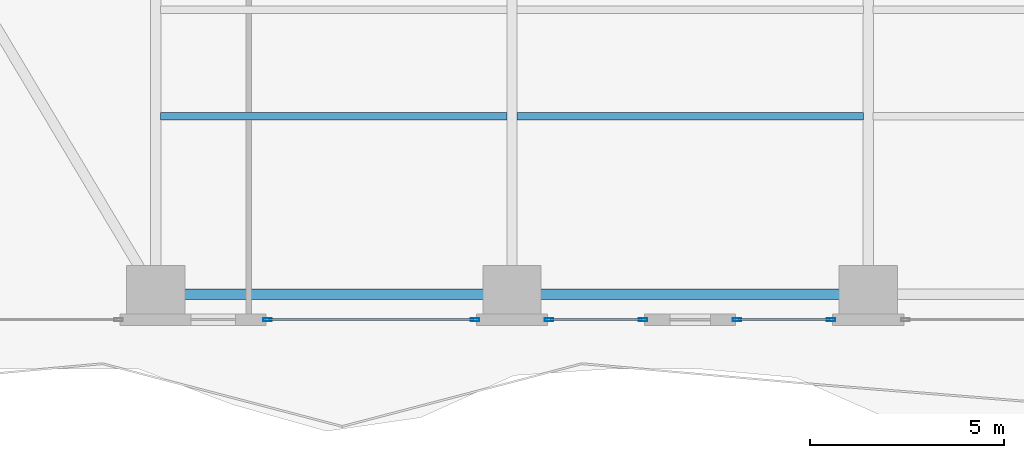
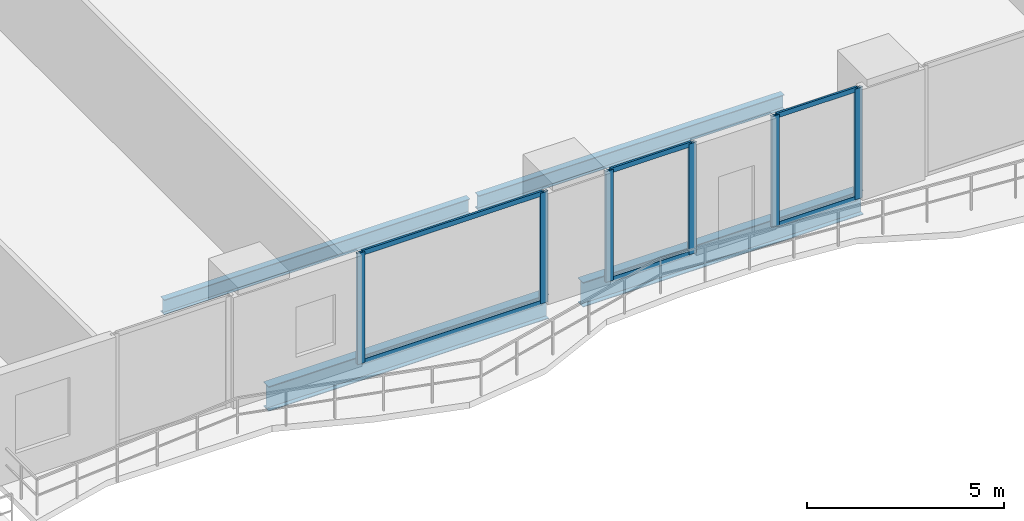
# One storey, part 4 of 28: 12 members, 4 beams, 3 elements without a shape of their own.
"""IFC4 building model written with IfcOpenShell, lengths in metres."""

from ifc_helpers import new_model, si_unit, direction, frame, origin, origin_2d, place, context, subcontext, project, spatial, hollow_rectangle, i_section, extrude, material, layer, layer_set, material_profile, profile_set, type_object, element, aggregate, save


model = new_model("IFC4")

# Units and contexts
model_context = context("Model", 3, precision=1e-05, world=origin(), true_north=direction((0.0, 1.0)))
body_context = subcontext(model_context, "Body", "Model", "MODEL_VIEW")
ifc_project = project(units=[si_unit("LENGTHUNIT", "METRE"), si_unit("AREAUNIT", "SQUARE_METRE"), si_unit("VOLUMEUNIT", "CUBIC_METRE"), si_unit("PLANEANGLEUNIT", "RADIAN"), si_unit("MASSUNIT", "GRAM", prefix="KILO")], contexts=[model_context])

# Site, building, storey
site_placement = place(None, origin())
site = spatial("IfcSite", under=ifc_project, at=site_placement, CompositionType="ELEMENT")
building_placement = place(site_placement, origin())
building = spatial("IfcBuilding", under=site, at=building_placement, Name="Zuhayl Quay Hotel", CompositionType="ELEMENT")
storey_placement = place(building_placement, frame((0.0, 0.0, 78.699951171875)))
storey = spatial("IfcBuildingStorey", under=building, at=storey_placement, Name="L19", CompositionType="ELEMENT", Elevation=78.699951171875)

# Beams
ifc_material_1 = material(Name="Steel ASTM A992 Grade 50", Category="steel")
ifc_material_profile_1 = material_profile(ifc_material_1, i_section(OverallWidth=0.26708984375, OverallDepth=0.761962890625, WebThickness=0.014404296875, FlangeThickness=0.021484375, at=origin_2d()), Name="W30X116")
ifc_profile_set_1 = profile_set([ifc_material_profile_1], Name="Steel ASTM A992 Grade 50")
beam_type_1 = type_object("IfcBeamType", Name="BM_B1_W30X116", PredefinedType="BEAM", material=ifc_profile_set_1)
beam_1_placement = place(storey_placement, frame((-13.300048828125, -22.449951171875, -0.600830078125), z_axis=(1.0, 0.0, 0.0), x_axis=(0.0, 1.0, 0.0)))
element("IfcBeam", 1, at=beam_1_placement, inside=storey, type_object=beam_type_1, Name="L19 Floor Beam RG_L19_01", PredefinedType="BEAM", context=body_context, shape_type="SweptSolid", body=[
    extrude(i_section(OverallWidth=0.26708984375, OverallDepth=0.761962890625, WebThickness=0.014404296875, FlangeThickness=0.021484375, at=origin_2d()), origin(), (0.0, 0.0, 1.0), 8.199951171875),
])
beam_2_placement = place(storey_placement, frame((-4.10009765625, -22.449951171875, -0.600830078125), z_axis=(1.0, 0.0, 0.0), x_axis=(0.0, 1.0, 0.0)))
element("IfcBeam", 2, at=beam_2_placement, inside=storey, type_object=beam_type_1, Name="L19 Floor Beam RG_L19_02", PredefinedType="BEAM", context=body_context, shape_type="SweptSolid", body=[
    extrude(i_section(OverallWidth=0.26708984375, OverallDepth=0.761962890625, WebThickness=0.014404296875, FlangeThickness=0.021484375, at=origin_2d()), origin(), (0.0, 0.0, 1.0), 8.2001953125),
])
ifc_material_profile_2 = material_profile(ifc_material_1, i_section(OverallWidth=0.18994140625, OverallDepth=0.45703125, WebThickness=0.009033203125, FlangeThickness=0.014404296875, at=origin_2d()), Name="W18X50")
ifc_profile_set_2 = profile_set([ifc_material_profile_2], Name="Steel ASTM A992 Grade 50")
beam_type_2 = type_object("IfcBeamType", Name="BM_J2_W18X50", PredefinedType="JOIST", material=ifc_profile_set_2)
beam_3_placement = place(storey_placement, frame((-13.674560546875, -17.85009765625, -0.448486328125), z_axis=(1.0, 0.0, 0.0), x_axis=(0.0, 1.0, 0.0)))
element("IfcBeam", 3, at=beam_3_placement, inside=storey, type_object=beam_type_2, Name="L19 Floor Beam FJ_L19_3_1", PredefinedType="JOIST", context=body_context, shape_type="SweptSolid", body=[
    extrude(i_section(OverallWidth=0.18994140625, OverallDepth=0.45703125, WebThickness=0.009033203125, FlangeThickness=0.014404296875, at=origin_2d()), origin(), (0.0, 0.0, 1.0), 8.948974609375),
])
beam_4_placement = place(storey_placement, frame((-4.474609375, -17.85009765625, -0.448486328125), z_axis=(1.0, 0.0, 0.0), x_axis=(0.0, 1.0, 0.0)))
element("IfcBeam", 4, at=beam_4_placement, inside=storey, type_object=beam_type_2, Name="L19 Floor Beam FJ_L19_3_2", PredefinedType="JOIST", context=body_context, shape_type="SweptSolid", body=[
    extrude(i_section(OverallWidth=0.18994140625, OverallDepth=0.45703125, WebThickness=0.009033203125, FlangeThickness=0.014404296875, at=origin_2d()), origin(), (0.0, 0.0, 1.0), 8.94921875),
])

# Curtain wall, members
ifc_material_2 = material(Name="Anodised Aluminium 6063-T6", Category="aluminium")
ifc_layer = layer(ifc_material_2, 0.18994140625, Name="Anodised Aluminium 6063-T6", Category="aluminium")
ifc_layer_set = layer_set([ifc_layer], Name="Anodised Aluminium 6063-T6")
curtain_wall_type = type_object("IfcCurtainWallType", Name="CW_SYS_Z1", PredefinedType="USERDEFINED", material=ifc_layer_set)
curtain_wall_1_placement = place(storey_placement, origin())
curtain_wall_1 = element("IfcCurtainWall", 5, at=curtain_wall_1_placement, inside=storey, type_object=curtain_wall_type, Name="L19 Curtain Wall ENV_L19_S_CW3", ObjectType="UNITISED CURTAIN WALL", PredefinedType="USERDEFINED")
ifc_material_3 = material(Name="Black-anodised aluminium 6063-T6", Category="aluminium")
ifc_material_profile_3 = material_profile(ifc_material_3, hollow_rectangle(XDim=0.074951171875, YDim=0.219970703125, WallThickness=0.00390625, at=origin_2d()), Name="ALU220X75")
ifc_profile_set_3 = profile_set([ifc_material_profile_3], Name="Black-anodised aluminium 6063-T6")
member_type_1 = type_object("IfcMemberType", Name="MB_CW_MUL_220", PredefinedType="MULLION", material=ifc_profile_set_3)
member_1_placement = place(storey_placement, frame((3.642578125, -23.10009765625, 0.0), z_axis=(0.0, 0.0, 1.0), x_axis=(0.0, -1.0, 0.0)))
member_1 = element("IfcMember", 6, at=member_1_placement, type_object=member_type_1, Name="CW-Z1 mullion 1", PredefinedType="MULLION", context=body_context, shape_type="SweptSolid", body=[
    extrude(hollow_rectangle(XDim=0.074951171875, YDim=0.219970703125, WallThickness=0.00390625, at=origin_2d()), origin(), (0.0, 0.0, 1.0), 3.429931640625),
])
member_2_placement = place(storey_placement, frame((1.21240234375, -23.10009765625, 0.0), z_axis=(0.0, 0.0, 1.0), x_axis=(0.0, -1.0, 0.0)))
member_2 = element("IfcMember", 7, at=member_2_placement, type_object=member_type_1, Name="CW-Z1 mullion 2", PredefinedType="MULLION", context=body_context, shape_type="SweptSolid", body=[
    extrude(hollow_rectangle(XDim=0.074951171875, YDim=0.219970703125, WallThickness=0.00390625, at=origin_2d()), origin(), (0.0, 0.0, 1.0), 3.429931640625),
])

curtain_wall_2_placement = place(storey_placement, origin())
curtain_wall_2 = element("IfcCurtainWall", 8, at=curtain_wall_2_placement, inside=storey, type_object=curtain_wall_type, Name="L19 Curtain Wall ENV_L19_S_CW4", ObjectType="UNITISED CURTAIN WALL", PredefinedType="USERDEFINED")
member_3_placement = place(storey_placement, frame((-1.21240234375, -23.10009765625, 0.0), z_axis=(0.0, 0.0, 1.0), x_axis=(0.0, -1.0, 0.0)))
member_3 = element("IfcMember", 9, at=member_3_placement, type_object=member_type_1, Name="CW-Z1 mullion 1", PredefinedType="MULLION", context=body_context, shape_type="SweptSolid", body=[
    extrude(hollow_rectangle(XDim=0.074951171875, YDim=0.219970703125, WallThickness=0.00390625, at=origin_2d()), origin(), (0.0, 0.0, 1.0), 3.429931640625),
])
member_4_placement = place(storey_placement, frame((-3.642578125, -23.10009765625, 0.0), z_axis=(0.0, 0.0, 1.0), x_axis=(0.0, -1.0, 0.0)))
member_4 = element("IfcMember", 10, at=member_4_placement, type_object=member_type_1, Name="CW-Z1 mullion 2", PredefinedType="MULLION", context=body_context, shape_type="SweptSolid", body=[
    extrude(hollow_rectangle(XDim=0.074951171875, YDim=0.219970703125, WallThickness=0.00390625, at=origin_2d()), origin(), (0.0, 0.0, 1.0), 3.429931640625),
])

curtain_wall_3_placement = place(storey_placement, origin())
curtain_wall_3 = element("IfcCurtainWall", 11, at=curtain_wall_3_placement, inside=storey, type_object=curtain_wall_type, Name="L19 Curtain Wall ENV_L19_S_CW5", ObjectType="UNITISED CURTAIN WALL", PredefinedType="USERDEFINED")
member_5_placement = place(storey_placement, frame((-5.5576171875, -23.10009765625, 0.0), z_axis=(0.0, 0.0, 1.0), x_axis=(0.0, -1.0, 0.0)))
member_5 = element("IfcMember", 12, at=member_5_placement, type_object=member_type_1, Name="CW-Z1 mullion 1", PredefinedType="MULLION", context=body_context, shape_type="SweptSolid", body=[
    extrude(hollow_rectangle(XDim=0.074951171875, YDim=0.219970703125, WallThickness=0.00390625, at=origin_2d()), origin(), (0.0, 0.0, 1.0), 3.429931640625),
])
member_6_placement = place(storey_placement, frame((-10.91259765625, -23.10009765625, 0.0), z_axis=(0.0, 0.0, 1.0), x_axis=(0.0, -1.0, 0.0)))
member_6 = element("IfcMember", 13, at=member_6_placement, type_object=member_type_1, Name="CW-Z1 mullion 2", PredefinedType="MULLION", context=body_context, shape_type="SweptSolid", body=[
    extrude(hollow_rectangle(XDim=0.074951171875, YDim=0.219970703125, WallThickness=0.00390625, at=origin_2d()), origin(), (0.0, 0.0, 1.0), 3.429931640625),
])

# Member
ifc_material_profile_4 = material_profile(ifc_material_3, hollow_rectangle(XDim=0.06005859375, YDim=0.14990234375, WallThickness=0.00341796875, at=origin_2d()), Name="ALU150X60")
ifc_profile_set_4 = profile_set([ifc_material_profile_4], Name="Black-anodised aluminium 6063-T6")
member_type_2 = type_object("IfcMemberType", Name="MB_CW_TRN_150", PredefinedType="USERDEFINED", material=ifc_profile_set_4)
member_7_placement = place(storey_placement, frame((3.60498046875, -23.10009765625, 0.030029296875), z_axis=(-1.0, 0.0, 0.0), x_axis=(0.0, -1.0, 0.0)))
member_7 = element("IfcMember", 14, at=member_7_placement, type_object=member_type_2, Name="CW-Z1 transom 1.1", ObjectType="TRANSOM", PredefinedType="USERDEFINED", context=body_context, shape_type="SweptSolid", body=[
    extrude(hollow_rectangle(XDim=0.06005859375, YDim=0.14990234375, WallThickness=0.00341796875, at=origin_2d()), origin(), (0.0, 0.0, 1.0), 2.35498046875),
])

member_8_placement = place(storey_placement, frame((3.60498046875, -23.10009765625, 3.400146484375), z_axis=(-1.0, 0.0, 0.0), x_axis=(0.0, -1.0, 0.0)))
member_8 = element("IfcMember", 15, at=member_8_placement, type_object=member_type_2, Name="CW-Z1 transom 1.2", ObjectType="TRANSOM", PredefinedType="USERDEFINED", context=body_context, shape_type="SweptSolid", body=[
    extrude(hollow_rectangle(XDim=0.06005859375, YDim=0.14990234375, WallThickness=0.00341796875, at=origin_2d()), origin(), (0.0, 0.0, 1.0), 2.35498046875),
])

aggregate(curtain_wall_1, [member_1, member_2, member_7, member_8])

member_9_placement = place(storey_placement, frame((-1.25, -23.10009765625, 0.030029296875), z_axis=(-1.0, 0.0, 0.0), x_axis=(0.0, -1.0, 0.0)))
member_9 = element("IfcMember", 16, at=member_9_placement, type_object=member_type_2, Name="CW-Z1 transom 1.1", ObjectType="TRANSOM", PredefinedType="USERDEFINED", context=body_context, shape_type="SweptSolid", body=[
    extrude(hollow_rectangle(XDim=0.06005859375, YDim=0.14990234375, WallThickness=0.00341796875, at=origin_2d()), origin(), (0.0, 0.0, 1.0), 2.35498046875),
])

member_10_placement = place(storey_placement, frame((-1.25, -23.10009765625, 3.400146484375), z_axis=(-1.0, 0.0, 0.0), x_axis=(0.0, -1.0, 0.0)))
member_10 = element("IfcMember", 17, at=member_10_placement, type_object=member_type_2, Name="CW-Z1 transom 1.2", ObjectType="TRANSOM", PredefinedType="USERDEFINED", context=body_context, shape_type="SweptSolid", body=[
    extrude(hollow_rectangle(XDim=0.06005859375, YDim=0.14990234375, WallThickness=0.00341796875, at=origin_2d()), origin(), (0.0, 0.0, 1.0), 2.35498046875),
])

aggregate(curtain_wall_2, [member_3, member_4, member_9, member_10])

member_11_placement = place(storey_placement, frame((-5.594970703125, -23.10009765625, 0.030029296875), z_axis=(-1.0, 0.0, 0.0), x_axis=(0.0, -1.0, 0.0)))
member_11 = element("IfcMember", 18, at=member_11_placement, type_object=member_type_2, Name="CW-Z1 transom 1.1", ObjectType="TRANSOM", PredefinedType="USERDEFINED", context=body_context, shape_type="SweptSolid", body=[
    extrude(hollow_rectangle(XDim=0.06005859375, YDim=0.14990234375, WallThickness=0.00341796875, at=origin_2d()), origin(), (0.0, 0.0, 1.0), 5.280029296875),
])

member_12_placement = place(storey_placement, frame((-5.594970703125, -23.10009765625, 3.400146484375), z_axis=(-1.0, 0.0, 0.0), x_axis=(0.0, -1.0, 0.0)))
member_12 = element("IfcMember", 19, at=member_12_placement, type_object=member_type_2, Name="CW-Z1 transom 1.2", ObjectType="TRANSOM", PredefinedType="USERDEFINED", context=body_context, shape_type="SweptSolid", body=[
    extrude(hollow_rectangle(XDim=0.06005859375, YDim=0.14990234375, WallThickness=0.00341796875, at=origin_2d()), origin(), (0.0, 0.0, 1.0), 5.280029296875),
])

aggregate(curtain_wall_3, [member_5, member_6, member_11, member_12])

save(model, "model.ifc")
